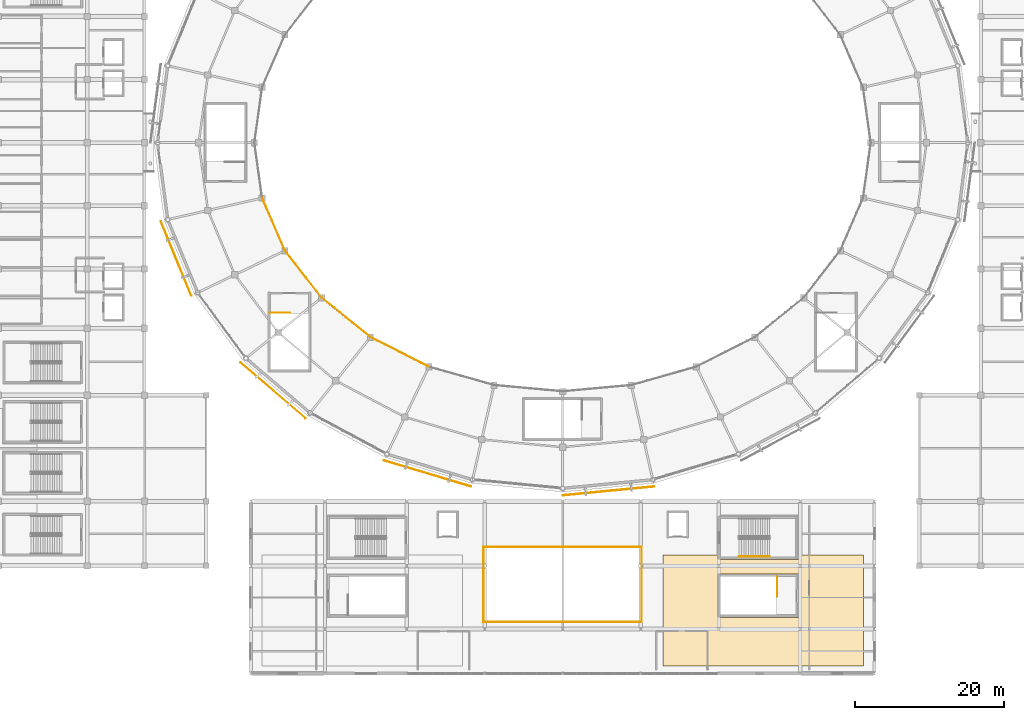
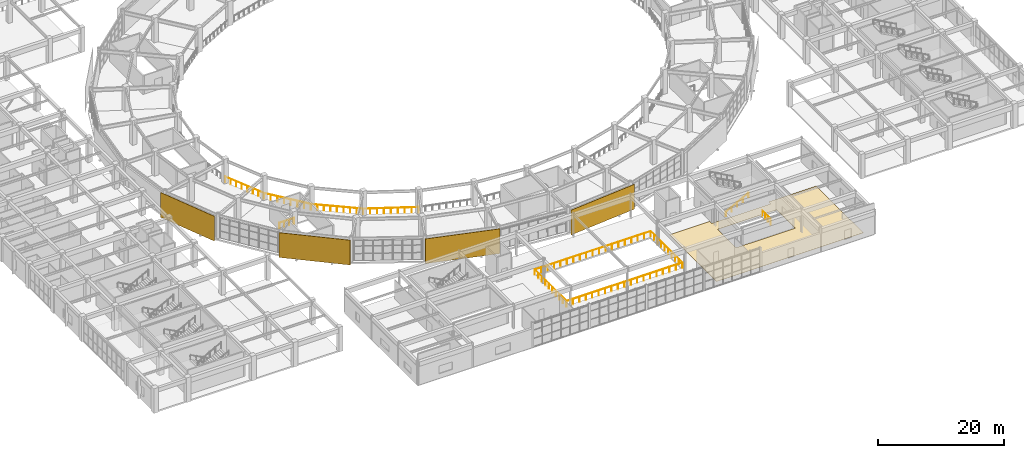
# One storey, part 99 of 112: 11 railings, 5 coverings.
"""IFC4 building model written with IfcOpenShell, lengths in metres."""

from ifc_helpers import new_model, si_unit, direction, frame, frame_2d, origin, origin_2d, place, context, subcontext, project, spatial, polyline, rectangle, circle, outline, extrude, material, layer, layer_set, type_object, element, save


model = new_model("IFC4")

# Units and contexts
model_context = context("Model", 3, precision=1e-05, world=origin(), true_north=direction((0.0, 1.0)))
body_context = subcontext(model_context, "Body", "Model", "MODEL_VIEW")
ifc_project = project(units=[si_unit("LENGTHUNIT", "METRE"), si_unit("AREAUNIT", "SQUARE_METRE"), si_unit("VOLUMEUNIT", "CUBIC_METRE"), si_unit("PLANEANGLEUNIT", "RADIAN"), si_unit("MASSUNIT", "GRAM", prefix="KILO")], contexts=[model_context])

# Site, building, storey
site_placement = place(None, origin())
site = spatial("IfcSite", under=ifc_project, at=site_placement, CompositionType="ELEMENT")
building_placement = place(site_placement, origin())
building = spatial("IfcBuilding", under=site, at=building_placement, Name="Cuetzalor Civic Arena", CompositionType="ELEMENT")
storey_placement = place(building_placement, frame((0.0, 0.0, 11.39990234375)))
storey = spatial("IfcBuildingStorey", under=building, at=storey_placement, Name="L02", CompositionType="ELEMENT", Elevation=11.39990234375)

# Railings
ifc_material_1 = material(Name="Reseda-green Steel S355 and laminated glass guard", Category="steel")
railing_type_1 = type_object("IfcRailingType", Name="BowlSightlineGuard_1100", PredefinedType="BALUSTRADE", material=ifc_material_1)
railing_1_placement = place(storey_placement, frame((-40.45947265625, -7.45458984375, 0.0)))
element("IfcRailing", 1, at=railing_1_placement, inside=storey, type_object=railing_type_1, Name="Club Gallery Bowl Rim Balustrade S16", PredefinedType="BALUSTRADE", context=body_context, shape_type="SweptSolid", body=[
    extrude(circle(Radius=0.02392578125, at=origin_2d()), frame((0.0, 0.0, 1.076171875), z_axis=(0.397726401809, -0.917504065007, 0.0), x_axis=(0.917504065007, 0.397726401809, 0.0)), (0.0, 0.0, 1.0), 7.71728515625),
    extrude(circle(Radius=0.02099609375, at=origin_2d()), origin(), (0.0, 0.0, 1.0), 1.052001953125),
    extrude(circle(Radius=0.02099609375, at=origin_2d()), frame((0.4384765625, -1.011474609375, 0.0)), (0.0, 0.0, 1.0), 1.052001953125),
    extrude(circle(Radius=0.02099609375, at=origin_2d()), frame((0.876953125, -2.02294921875, 0.0)), (0.0, 0.0, 1.0), 1.052001953125),
    extrude(circle(Radius=0.02099609375, at=origin_2d()), frame((1.3154296875, -3.034423828125, 0.0)), (0.0, 0.0, 1.0), 1.052001953125),
    extrude(circle(Radius=0.02099609375, at=origin_2d()), frame((1.75390625, -4.046142578125, 0.0)), (0.0, 0.0, 1.0), 1.052001953125),
    extrude(circle(Radius=0.02099609375, at=origin_2d()), frame((2.1923828125, -5.0576171875, 0.0)), (0.0, 0.0, 1.0), 1.052001953125),
    extrude(circle(Radius=0.02099609375, at=origin_2d()), frame((2.630859375, -6.069091796875, 0.0)), (0.0, 0.0, 1.0), 1.052001953125),
    extrude(circle(Radius=0.02099609375, at=origin_2d()), frame((3.0693359375, -7.08056640625, 0.0)), (0.0, 0.0, 1.0), 1.052001953125),
])
railing_2_placement = place(storey_placement, frame((-37.39013671875, -14.53515625, 0.0)))
element("IfcRailing", 2, at=railing_2_placement, inside=storey, type_object=railing_type_1, Name="Club Gallery Bowl Rim Balustrade S17", PredefinedType="BALUSTRADE", context=body_context, shape_type="SweptSolid", body=[
    extrude(circle(Radius=0.02392578125, at=origin_2d()), frame((0.0, 0.0, 1.076171875), z_axis=(0.614234549024, -0.78912351301, 0.0), x_axis=(0.78912351301, 0.614234549024, 0.0)), (0.0, 0.0, 1.0), 8.049072265625),
    extrude(circle(Radius=0.02099609375, at=origin_2d()), origin(), (0.0, 0.0, 1.0), 1.052001953125),
    extrude(circle(Radius=0.02099609375, at=origin_2d()), frame((0.706298828125, -0.907470703125, 0.0)), (0.0, 0.0, 1.0), 1.052001953125),
    extrude(circle(Radius=0.02099609375, at=origin_2d()), frame((1.41259765625, -1.814697265625, 0.0)), (0.0, 0.0, 1.0), 1.052001953125),
    extrude(circle(Radius=0.02099609375, at=origin_2d()), frame((2.118896484375, -2.72216796875, 0.0)), (0.0, 0.0, 1.0), 1.052001953125),
    extrude(circle(Radius=0.02099609375, at=origin_2d()), frame((2.8251953125, -3.629638671875, 0.0)), (0.0, 0.0, 1.0), 1.052001953125),
    extrude(circle(Radius=0.02099609375, at=origin_2d()), frame((3.531494140625, -4.537109375, 0.0)), (0.0, 0.0, 1.0), 1.052001953125),
    extrude(circle(Radius=0.02099609375, at=origin_2d()), frame((4.23779296875, -5.4443359375, 0.0)), (0.0, 0.0, 1.0), 1.052001953125),
    extrude(circle(Radius=0.02099609375, at=origin_2d()), frame((4.944091796875, -6.351806640625, 0.0)), (0.0, 0.0, 1.0), 1.052001953125),
])
railing_3_placement = place(storey_placement, frame((-32.446044921875, -20.886962890625, 0.0)))
element("IfcRailing", 3, at=railing_3_placement, inside=storey, type_object=railing_type_1, Name="Club Gallery Bowl Rim Balustrade S18", PredefinedType="BALUSTRADE", context=body_context, shape_type="SweptSolid", body=[
    extrude(circle(Radius=0.02392578125, at=origin_2d()), frame((0.0, 0.0, 1.076171875), z_axis=(0.778122678462, -0.628112328539, 0.0), x_axis=(0.628112328539, 0.778122678462, 0.0)), (0.0, 0.0, 1.0), 8.445068359375),
    extrude(circle(Radius=0.02099609375, at=origin_2d()), origin(), (0.0, 0.0, 1.0), 1.052001953125),
    extrude(circle(Radius=0.02099609375, at=origin_2d()), frame((0.8212890625, -0.6630859375, 0.0)), (0.0, 0.0, 1.0), 1.052001953125),
    extrude(circle(Radius=0.02099609375, at=origin_2d()), frame((1.642822265625, -1.326171875, 0.0)), (0.0, 0.0, 1.0), 1.052001953125),
    extrude(circle(Radius=0.02099609375, at=origin_2d()), frame((2.46435546875, -1.9892578125, 0.0)), (0.0, 0.0, 1.0), 1.052001953125),
    extrude(circle(Radius=0.02099609375, at=origin_2d()), frame((3.28564453125, -2.65234375, 0.0)), (0.0, 0.0, 1.0), 1.052001953125),
    extrude(circle(Radius=0.02099609375, at=origin_2d()), frame((4.10693359375, -3.315185546875, 0.0)), (0.0, 0.0, 1.0), 1.052001953125),
    extrude(circle(Radius=0.02099609375, at=origin_2d()), frame((4.928466796875, -3.978271484375, 0.0)), (0.0, 0.0, 1.0), 1.052001953125),
    extrude(circle(Radius=0.02099609375, at=origin_2d()), frame((5.75, -4.641357421875, 0.0)), (0.0, 0.0, 1.0), 1.052001953125),
    extrude(circle(Radius=0.02099609375, at=origin_2d()), frame((6.5712890625, -5.304443359375, 0.0)), (0.0, 0.0, 1.0), 1.052001953125),
])
railing_4_placement = place(storey_placement, frame((-25.874755859375, -26.19140625, 0.0)))
element("IfcRailing", 4, at=railing_4_placement, inside=storey, type_object=railing_type_1, Name="Club Gallery Bowl Rim Balustrade S19", PredefinedType="BALUSTRADE", context=body_context, shape_type="SweptSolid", body=[
    extrude(circle(Radius=0.02392578125, at=origin_2d()), frame((0.0, 0.0, 1.076171875), z_axis=(0.891833390372, -0.452364016935, 0.0), x_axis=(0.452364016935, 0.891833390372, 0.0)), (0.0, 0.0, 1.0), 8.822998046875),
    extrude(circle(Radius=0.02099609375, at=origin_2d()), origin(), (0.0, 0.0, 1.0), 1.052001953125),
    extrude(circle(Radius=0.02099609375, at=origin_2d()), frame((0.983642578125, -0.4990234375, 0.0)), (0.0, 0.0, 1.0), 1.052001953125),
    extrude(circle(Radius=0.02099609375, at=origin_2d()), frame((1.96728515625, -0.997802734375, 0.0)), (0.0, 0.0, 1.0), 1.052001953125),
    extrude(circle(Radius=0.02099609375, at=origin_2d()), frame((2.95068359375, -1.49658203125, 0.0)), (0.0, 0.0, 1.0), 1.052001953125),
    extrude(circle(Radius=0.02099609375, at=origin_2d()), frame((3.934326171875, -1.99560546875, 0.0)), (0.0, 0.0, 1.0), 1.052001953125),
    extrude(circle(Radius=0.02099609375, at=origin_2d()), frame((4.91796875, -2.49462890625, 0.0)), (0.0, 0.0, 1.0), 1.052001953125),
    extrude(circle(Radius=0.02099609375, at=origin_2d()), frame((5.9013671875, -2.993408203125, 0.0)), (0.0, 0.0, 1.0), 1.052001953125),
    extrude(circle(Radius=0.02099609375, at=origin_2d()), frame((6.885009765625, -3.4921875, 0.0)), (0.0, 0.0, 1.0), 1.052001953125),
    extrude(circle(Radius=0.02099609375, at=origin_2d()), frame((7.86865234375, -3.9912109375, 0.0)), (0.0, 0.0, 1.0), 1.052001953125),
])
ifc_material_2 = material(Name="Reseda-green architectural Steel S355 balustrade", Category="steel")
railing_type_2 = type_object("IfcRailingType", Name="InteriorVoidBalustrade_1100", PredefinedType="BALUSTRADE", material=ifc_material_2)
railing_5_placement = place(storey_placement, frame((-39.39990234375, -22.89990234375, 0.0)))
element("IfcRailing", 5, at=railing_5_placement, inside=storey, type_object=railing_type_2, Name="L02 ST-06 top well guard 1", PredefinedType="BALUSTRADE", context=body_context, shape_type="SweptSolid", body=[
    extrude(circle(Radius=0.02392578125, at=origin_2d()), frame((0.0, 0.0, 1.0810546875), z_axis=(1.0, 0.0, 0.0), x_axis=(0.0, 1.0, 0.0)), (0.0, 0.0, 1.0), 2.699951171875),
    extrude(circle(Radius=0.02099609375, at=origin_2d()), origin(), (0.0, 0.0, 1.0), 1.056884765625),
    extrude(circle(Radius=0.02099609375, at=origin_2d()), frame((0.89990234375, 0.0, 0.0)), (0.0, 0.0, 1.0), 1.056884765625),
    extrude(circle(Radius=0.02099609375, at=origin_2d()), frame((1.800048828125, 0.0, 0.0)), (0.0, 0.0, 1.0), 1.056884765625),
    extrude(circle(Radius=0.02099609375, at=origin_2d()), frame((2.699951171875, 0.0, 0.0)), (0.0, 0.0, 1.0), 1.056884765625),
])
railing_6_placement = place(storey_placement, frame((28.89990234375, -58.39990234375, 0.0)))
element("IfcRailing", 6, at=railing_6_placement, inside=storey, type_object=railing_type_2, Name="L02 ST-12 top well guard 1", PredefinedType="BALUSTRADE", context=body_context, shape_type="SweptSolid", body=[
    extrude(circle(Radius=0.02392578125, at=origin_2d()), frame((0.0, 0.0, 1.0810546875), z_axis=(0.0, -1.0, 0.0), x_axis=(1.0, 0.0, 0.0)), (0.0, 0.0, 1.0), 2.7001953125),
    extrude(circle(Radius=0.02099609375, at=origin_2d()), origin(), (0.0, 0.0, 1.0), 1.056884765625),
    extrude(circle(Radius=0.02099609375, at=origin_2d()), frame((0.0, -0.900146484375, 0.0)), (0.0, 0.0, 1.0), 1.056884765625),
    extrude(circle(Radius=0.02099609375, at=origin_2d()), frame((0.0, -1.800048828125, 0.0)), (0.0, 0.0, 1.0), 1.056884765625),
    extrude(circle(Radius=0.02099609375, at=origin_2d()), frame((0.0, -2.7001953125, 0.0)), (0.0, 0.0, 1.0), 1.056884765625),
])
railing_7_placement = place(storey_placement, frame((-10.64990234375, -64.550048828125, 0.0)))
element("IfcRailing", 7, at=railing_7_placement, inside=storey, type_object=railing_type_2, Name="South Foyer Atrium Void Balustrade L02-1", PredefinedType="BALUSTRADE", context=body_context, shape_type="SweptSolid", body=[
    extrude(circle(Radius=0.02392578125, at=origin_2d()), frame((0.0, 0.0, 1.076171875), z_axis=(1.0, 0.0, 0.0), x_axis=(0.0, 1.0, 0.0)), (0.0, 0.0, 1.0), 21.2998046875),
    extrude(circle(Radius=0.02099609375, at=origin_2d()), origin(), (0.0, 0.0, 1.0), 1.052001953125),
    extrude(circle(Radius=0.02099609375, at=origin_2d()), frame((1.183349609375, 0.0, 0.0)), (0.0, 0.0, 1.0), 1.052001953125),
    extrude(circle(Radius=0.02099609375, at=origin_2d()), frame((2.36669921875, 0.0, 0.0)), (0.0, 0.0, 1.0), 1.052001953125),
    extrude(circle(Radius=0.02099609375, at=origin_2d()), frame((3.550048828125, 0.0, 0.0)), (0.0, 0.0, 1.0), 1.052001953125),
    extrude(circle(Radius=0.02099609375, at=origin_2d()), frame((4.7333984375, 0.0, 0.0)), (0.0, 0.0, 1.0), 1.052001953125),
    extrude(circle(Radius=0.02099609375, at=origin_2d()), frame((5.91650390625, 0.0, 0.0)), (0.0, 0.0, 1.0), 1.052001953125),
    extrude(circle(Radius=0.02099609375, at=origin_2d()), frame((7.099853515625, 0.0, 0.0)), (0.0, 0.0, 1.0), 1.052001953125),
    extrude(circle(Radius=0.02099609375, at=origin_2d()), frame((8.283203125, 0.0, 0.0)), (0.0, 0.0, 1.0), 1.052001953125),
    extrude(circle(Radius=0.02099609375, at=origin_2d()), frame((9.466552734375, 0.0, 0.0)), (0.0, 0.0, 1.0), 1.052001953125),
    extrude(circle(Radius=0.02099609375, at=origin_2d()), frame((10.64990234375, 0.0, 0.0)), (0.0, 0.0, 1.0), 1.052001953125),
    extrude(circle(Radius=0.02099609375, at=origin_2d()), frame((11.833251953125, 0.0, 0.0)), (0.0, 0.0, 1.0), 1.052001953125),
    extrude(circle(Radius=0.02099609375, at=origin_2d()), frame((13.0166015625, 0.0, 0.0)), (0.0, 0.0, 1.0), 1.052001953125),
    extrude(circle(Radius=0.02099609375, at=origin_2d()), frame((14.199951171875, 0.0, 0.0)), (0.0, 0.0, 1.0), 1.052001953125),
    extrude(circle(Radius=0.02099609375, at=origin_2d()), frame((15.38330078125, 0.0, 0.0)), (0.0, 0.0, 1.0), 1.052001953125),
    extrude(circle(Radius=0.02099609375, at=origin_2d()), frame((16.56640625, 0.0, 0.0)), (0.0, 0.0, 1.0), 1.052001953125),
    extrude(circle(Radius=0.02099609375, at=origin_2d()), frame((17.749755859375, 0.0, 0.0)), (0.0, 0.0, 1.0), 1.052001953125),
    extrude(circle(Radius=0.02099609375, at=origin_2d()), frame((18.93310546875, 0.0, 0.0)), (0.0, 0.0, 1.0), 1.052001953125),
    extrude(circle(Radius=0.02099609375, at=origin_2d()), frame((20.116455078125, 0.0, 0.0)), (0.0, 0.0, 1.0), 1.052001953125),
    extrude(circle(Radius=0.02099609375, at=origin_2d()), frame((21.2998046875, 0.0, 0.0)), (0.0, 0.0, 1.0), 1.052001953125),
])
railing_8_placement = place(storey_placement, frame((10.64990234375, -64.550048828125, 0.0)))
element("IfcRailing", 8, at=railing_8_placement, inside=storey, type_object=railing_type_2, Name="South Foyer Atrium Void Balustrade L02-2", PredefinedType="BALUSTRADE", context=body_context, shape_type="SweptSolid", body=[
    extrude(circle(Radius=0.02392578125, at=origin_2d()), frame((0.0, 0.0, 1.076171875), z_axis=(0.0, 1.0, 0.0), x_axis=(-1.0, 0.0, 0.0)), (0.0, 0.0, 1.0), 10.10009765625),
    extrude(circle(Radius=0.02099609375, at=origin_2d()), origin(), (0.0, 0.0, 1.0), 1.052001953125),
    extrude(circle(Radius=0.02099609375, at=origin_2d()), frame((0.0, 1.122314453125, 0.0)), (0.0, 0.0, 1.0), 1.052001953125),
    extrude(circle(Radius=0.02099609375, at=origin_2d()), frame((0.0, 2.244384765625, 0.0)), (0.0, 0.0, 1.0), 1.052001953125),
    extrude(circle(Radius=0.02099609375, at=origin_2d()), frame((0.0, 3.36669921875, 0.0)), (0.0, 0.0, 1.0), 1.052001953125),
    extrude(circle(Radius=0.02099609375, at=origin_2d()), frame((0.0, 4.489013671875, 0.0)), (0.0, 0.0, 1.0), 1.052001953125),
    extrude(circle(Radius=0.02099609375, at=origin_2d()), frame((0.0, 5.611083984375, 0.0)), (0.0, 0.0, 1.0), 1.052001953125),
    extrude(circle(Radius=0.02099609375, at=origin_2d()), frame((0.0, 6.7333984375, 0.0)), (0.0, 0.0, 1.0), 1.052001953125),
    extrude(circle(Radius=0.02099609375, at=origin_2d()), frame((0.0, 7.855712890625, 0.0)), (0.0, 0.0, 1.0), 1.052001953125),
    extrude(circle(Radius=0.02099609375, at=origin_2d()), frame((0.0, 8.977783203125, 0.0)), (0.0, 0.0, 1.0), 1.052001953125),
    extrude(circle(Radius=0.02099609375, at=origin_2d()), frame((0.0, 10.10009765625, 0.0)), (0.0, 0.0, 1.0), 1.052001953125),
])
railing_9_placement = place(storey_placement, frame((10.64990234375, -54.449951171875, 0.0)))
element("IfcRailing", 9, at=railing_9_placement, inside=storey, type_object=railing_type_2, Name="South Foyer Atrium Void Balustrade L02-3", PredefinedType="BALUSTRADE", context=body_context, shape_type="SweptSolid", body=[
    extrude(circle(Radius=0.02392578125, at=origin_2d()), frame((0.0, 0.0, 1.076171875), z_axis=(-1.0, 0.0, 0.0), x_axis=(0.0, -1.0, 0.0)), (0.0, 0.0, 1.0), 21.2998046875),
    extrude(circle(Radius=0.02099609375, at=origin_2d()), origin(), (0.0, 0.0, 1.0), 1.052001953125),
    extrude(circle(Radius=0.02099609375, at=origin_2d()), frame((-1.183349609375, 0.0, 0.0)), (0.0, 0.0, 1.0), 1.052001953125),
    extrude(circle(Radius=0.02099609375, at=origin_2d()), frame((-2.36669921875, 0.0, 0.0)), (0.0, 0.0, 1.0), 1.052001953125),
    extrude(circle(Radius=0.02099609375, at=origin_2d()), frame((-3.550048828125, 0.0, 0.0)), (0.0, 0.0, 1.0), 1.052001953125),
    extrude(circle(Radius=0.02099609375, at=origin_2d()), frame((-4.7333984375, 0.0, 0.0)), (0.0, 0.0, 1.0), 1.052001953125),
    extrude(circle(Radius=0.02099609375, at=origin_2d()), frame((-5.91650390625, 0.0, 0.0)), (0.0, 0.0, 1.0), 1.052001953125),
    extrude(circle(Radius=0.02099609375, at=origin_2d()), frame((-7.099853515625, 0.0, 0.0)), (0.0, 0.0, 1.0), 1.052001953125),
    extrude(circle(Radius=0.02099609375, at=origin_2d()), frame((-8.283203125, 0.0, 0.0)), (0.0, 0.0, 1.0), 1.052001953125),
    extrude(circle(Radius=0.02099609375, at=origin_2d()), frame((-9.466552734375, 0.0, 0.0)), (0.0, 0.0, 1.0), 1.052001953125),
    extrude(circle(Radius=0.02099609375, at=origin_2d()), frame((-10.64990234375, 0.0, 0.0)), (0.0, 0.0, 1.0), 1.052001953125),
    extrude(circle(Radius=0.02099609375, at=origin_2d()), frame((-11.833251953125, 0.0, 0.0)), (0.0, 0.0, 1.0), 1.052001953125),
    extrude(circle(Radius=0.02099609375, at=origin_2d()), frame((-13.0166015625, 0.0, 0.0)), (0.0, 0.0, 1.0), 1.052001953125),
    extrude(circle(Radius=0.02099609375, at=origin_2d()), frame((-14.199951171875, 0.0, 0.0)), (0.0, 0.0, 1.0), 1.052001953125),
    extrude(circle(Radius=0.02099609375, at=origin_2d()), frame((-15.38330078125, 0.0, 0.0)), (0.0, 0.0, 1.0), 1.052001953125),
    extrude(circle(Radius=0.02099609375, at=origin_2d()), frame((-16.56640625, 0.0, 0.0)), (0.0, 0.0, 1.0), 1.052001953125),
    extrude(circle(Radius=0.02099609375, at=origin_2d()), frame((-17.749755859375, 0.0, 0.0)), (0.0, 0.0, 1.0), 1.052001953125),
    extrude(circle(Radius=0.02099609375, at=origin_2d()), frame((-18.93310546875, 0.0, 0.0)), (0.0, 0.0, 1.0), 1.052001953125),
    extrude(circle(Radius=0.02099609375, at=origin_2d()), frame((-20.116455078125, 0.0, 0.0)), (0.0, 0.0, 1.0), 1.052001953125),
    extrude(circle(Radius=0.02099609375, at=origin_2d()), frame((-21.2998046875, 0.0, 0.0)), (0.0, 0.0, 1.0), 1.052001953125),
])
railing_10_placement = place(storey_placement, frame((-10.64990234375, -54.449951171875, 0.0)))
element("IfcRailing", 10, at=railing_10_placement, inside=storey, type_object=railing_type_2, Name="South Foyer Atrium Void Balustrade L02-4", PredefinedType="BALUSTRADE", context=body_context, shape_type="SweptSolid", body=[
    extrude(circle(Radius=0.02392578125, at=origin_2d()), frame((0.0, 0.0, 1.076171875), z_axis=(0.0, -1.0, 0.0), x_axis=(1.0, 0.0, 0.0)), (0.0, 0.0, 1.0), 10.10009765625),
    extrude(circle(Radius=0.02099609375, at=origin_2d()), origin(), (0.0, 0.0, 1.0), 1.052001953125),
    extrude(circle(Radius=0.02099609375, at=origin_2d()), frame((0.0, -1.122314453125, 0.0)), (0.0, 0.0, 1.0), 1.052001953125),
    extrude(circle(Radius=0.02099609375, at=origin_2d()), frame((0.0, -2.244384765625, 0.0)), (0.0, 0.0, 1.0), 1.052001953125),
    extrude(circle(Radius=0.02099609375, at=origin_2d()), frame((0.0, -3.36669921875, 0.0)), (0.0, 0.0, 1.0), 1.052001953125),
    extrude(circle(Radius=0.02099609375, at=origin_2d()), frame((0.0, -4.489013671875, 0.0)), (0.0, 0.0, 1.0), 1.052001953125),
    extrude(circle(Radius=0.02099609375, at=origin_2d()), frame((0.0, -5.611083984375, 0.0)), (0.0, 0.0, 1.0), 1.052001953125),
    extrude(circle(Radius=0.02099609375, at=origin_2d()), frame((0.0, -6.7333984375, 0.0)), (0.0, 0.0, 1.0), 1.052001953125),
    extrude(circle(Radius=0.02099609375, at=origin_2d()), frame((0.0, -7.855712890625, 0.0)), (0.0, 0.0, 1.0), 1.052001953125),
    extrude(circle(Radius=0.02099609375, at=origin_2d()), frame((0.0, -8.977783203125, 0.0)), (0.0, 0.0, 1.0), 1.052001953125),
    extrude(circle(Radius=0.02099609375, at=origin_2d()), frame((0.0, -10.10009765625, 0.0)), (0.0, 0.0, 1.0), 1.052001953125),
])

# Covering
ifc_material_3 = material(Name="Honed Puebla marble and basalt terrazzo flooring", Category="masonry")
ifc_layer_1 = layer(ifc_material_3, 0.030029296875)
ifc_layer_set_1 = layer_set([ifc_layer_1], Name="Honed Puebla marble and basalt terrazzo flooring")
covering_type_1 = type_object("IfcCoveringType", Name="PoblanoTerrazzoFlooring_30", PredefinedType="FLOORING", material=ifc_layer_set_1)
covering_1_placement = place(storey_placement, origin())
element("IfcCovering", 11, at=covering_1_placement, inside=storey, type_object=covering_type_1, Name="Sponsors Dining East Terrazzo", PredefinedType="FLOORING", context=body_context, shape_type="SweptSolid", body=[
    extrude(outline(polyline([(40.5, -55.5), (40.5, -70.5), (13.5, -70.5), (13.5, -55.5), (20.85009765625, -55.5), (20.85009765625, -56.14990234375), (31.75, -56.14990234375), (31.75, -55.5), (40.5, -55.5)]), holes=[polyline([(31.75, -63.949951171875), (31.75, -58.050048828125), (20.85009765625, -58.050048828125), (20.85009765625, -63.949951171875), (31.75, -63.949951171875)])]), origin(), (0.0, 0.0, 1.0), 0.030029296875),
])

# Railing
ifc_material_4 = material(Name="Galvanised steel S355", Category="steel")
railing_type_3 = type_object("IfcRailingType", Name="StairPitchHandrail_900", PredefinedType="HANDRAIL", material=ifc_material_4)
railing_11_placement = place(storey_placement, frame((23.75, -55.75, 0.171630859375)))
element("IfcRailing", 12, at=railing_11_placement, inside=storey, type_object=railing_type_3, Name="L02 ST-11 stair handrail 1", PredefinedType="HANDRAIL", context=body_context, shape_type="SweptSolid", body=[
    extrude(circle(Radius=0.02392578125, at=origin_2d()), frame((0.0, 0.0, 0.8759765625), z_axis=(0.880248997335, 0.0, 0.474512068014), x_axis=(0.0, 1.0, 0.0)), (0.0, 0.0, 1.0), 4.696533203125),
    extrude(circle(Radius=0.02099609375, at=origin_2d()), origin(), (0.0, 0.0, 1.0), 0.851806640625),
    extrude(circle(Radius=0.02099609375, at=origin_2d()), frame((1.033447265625, 0.0, 0.55712890625)), (0.0, 0.0, 1.0), 0.851806640625),
    extrude(circle(Radius=0.02099609375, at=origin_2d()), frame((2.06689453125, 0.0, 1.1142578125)), (0.0, 0.0, 1.0), 0.851806640625),
    extrude(circle(Radius=0.02099609375, at=origin_2d()), frame((3.1005859375, 0.0, 1.67138671875)), (0.0, 0.0, 1.0), 0.851806640625),
    extrude(circle(Radius=0.02099609375, at=origin_2d()), frame((4.134033203125, 0.0, 2.228515625)), (0.0, 0.0, 1.0), 0.851806640625),
])

# Coverings
ifc_material_5 = material(Name="Terracotta-red perforated anodised aluminium panel", Category="masonry")
ifc_layer_2 = layer(ifc_material_5, 0.080078125)
ifc_layer_set_2 = layer_set([ifc_layer_2], Name="Terracotta-red perforated anodised aluminium panel")
covering_type_2 = type_object("IfcCoveringType", Name="TerracottaPerforatedScreenPanel", PredefinedType="CLADDING", material=ifc_layer_set_2)
covering_2_placement = place(storey_placement, frame((-50.00390625, -20.609619140625, -0.139892578125), z_axis=(0.0, 0.0, 1.0), x_axis=(-0.378411973316, 0.925637282336, 0.0)))
element("IfcCovering", 13, at=covering_2_placement, inside=storey, type_object=covering_type_2, Name="Terracotta Perforated Drum Screen L02-S16", PredefinedType="CLADDING", context=body_context, shape_type="SweptSolid", body=[
    extrude(rectangle(XDim=10.8466796875, YDim=0.080078125, at=frame_2d((5.42333984375, 0.0))), origin(), (0.0, 0.0, 1.0), 4.820068359375),
])
covering_3_placement = place(storey_placement, frame((-34.603759765625, -37.136962890625, -0.139892578125), z_axis=(0.0, 0.0, 1.0), x_axis=(-0.759734649699, 0.650233236652, 0.0)))
element("IfcCovering", 14, at=covering_3_placement, inside=storey, type_object=covering_type_2, Name="Terracotta Perforated Drum Screen L02-S18", PredefinedType="CLADDING", context=body_context, shape_type="SweptSolid", body=[
    extrude(rectangle(XDim=11.56689453125, YDim=0.080078125, at=frame_2d((5.783447265625, 0.0))), origin(), (0.0, 0.0, 1.0), 4.820068359375),
])
covering_4_placement = place(storey_placement, frame((-12.349853515625, -46.30908203125, -0.139892578125), z_axis=(0.0, 0.0, 1.0), x_axis=(-0.957961714935, 0.286896066056, 0.0)))
element("IfcCovering", 15, at=covering_4_placement, inside=storey, type_object=covering_type_2, Name="Terracotta Perforated Drum Screen L02-S20", PredefinedType="CLADDING", context=body_context, shape_type="SweptSolid", body=[
    extrude(rectangle(XDim=12.24560546875, YDim=0.080078125, at=frame_2d((6.122802734375, 0.0))), origin(), (0.0, 0.0, 1.0), 4.820068359375),
])
covering_5_placement = place(storey_placement, frame((12.349853515625, -46.30908203125, -0.139892578125), z_axis=(0.0, 0.0, 1.0), x_axis=(-0.995382637025, -0.095986488157, 0.0)))
element("IfcCovering", 16, at=covering_5_placement, inside=storey, type_object=covering_type_2, Name="Terracotta Perforated Drum Screen L02-S22", PredefinedType="CLADDING", context=body_context, shape_type="SweptSolid", body=[
    extrude(rectangle(XDim=12.4072265625, YDim=0.080078125, at=frame_2d((6.20361328125, 0.0))), origin(), (0.0, 0.0, 1.0), 4.820068359375),
])

save(model, "model.ifc")
